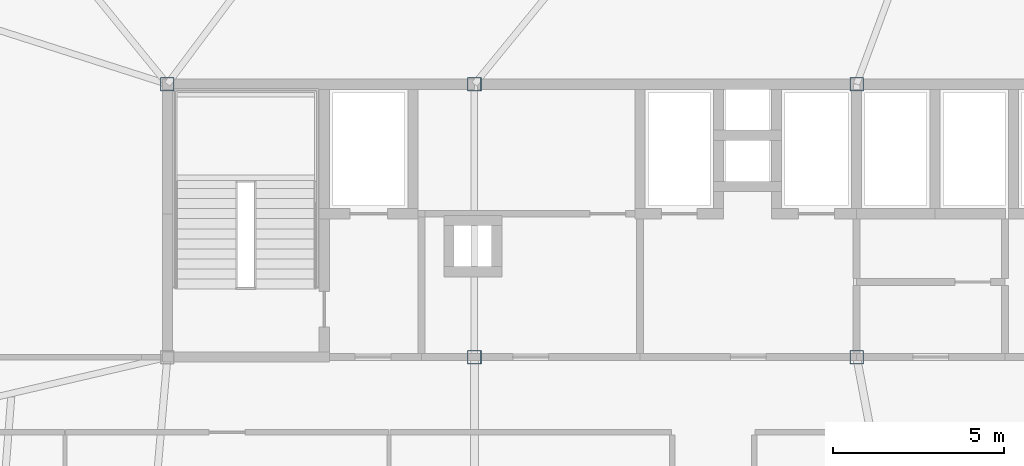
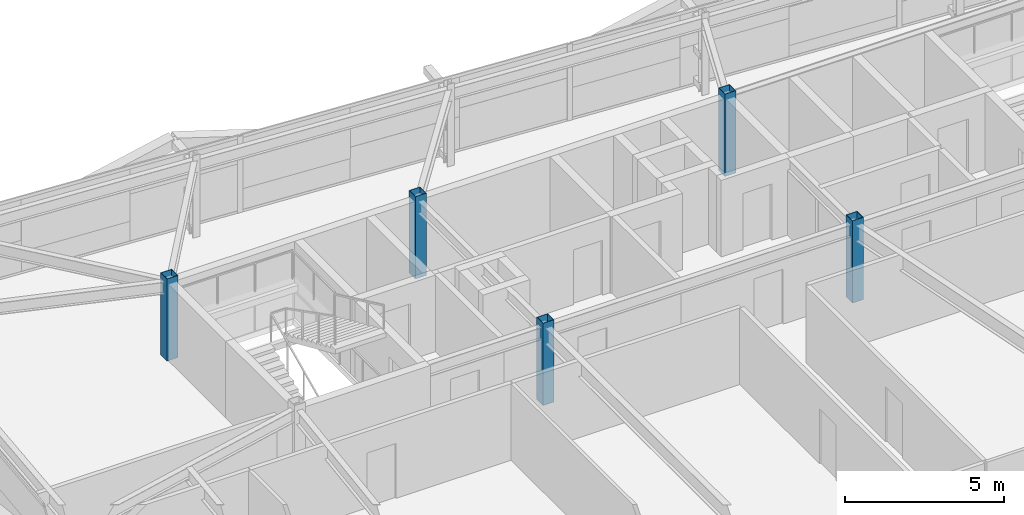
# One storey, part 2 of 39: 5 columns.
"""IFC4 building model written with IfcOpenShell, lengths in metres."""

from ifc_helpers import new_model, si_unit, direction, frame, origin, origin_2d, place, context, subcontext, project, spatial, hollow_rectangle, extrude, source, transform, mapped, material, material_profile, profile_set, type_object, element, save


model = new_model("IFC4")

# Units and contexts
model_context = context("Model", 3, precision=1e-05, world=origin(), true_north=direction((0.0, 1.0)))
body_context = subcontext(model_context, "Body", "Model", "MODEL_VIEW")
ifc_project = project(units=[si_unit("LENGTHUNIT", "METRE"), si_unit("AREAUNIT", "SQUARE_METRE"), si_unit("VOLUMEUNIT", "CUBIC_METRE"), si_unit("PLANEANGLEUNIT", "RADIAN"), si_unit("MASSUNIT", "GRAM", prefix="KILO")], contexts=[model_context])

# Site, building, storey
site_placement = place(None, origin())
site = spatial("IfcSite", under=ifc_project, at=site_placement, CompositionType="ELEMENT")
building_placement = place(site_placement, origin())
building = spatial("IfcBuilding", under=site, at=building_placement, Name="Taldren Reach Tower", CompositionType="ELEMENT")
storey_placement = place(building_placement, frame((0.0, 0.0, 126.699951171875)))
storey = spatial("IfcBuildingStorey", under=building, at=storey_placement, Name="L38", CompositionType="ELEMENT", Elevation=126.699951171875)

# Columns
ifc_material = material(Name="Steel Gr 450 (C450L0)", Category="steel")
ifc_material_profile = material_profile(ifc_material, hollow_rectangle(XDim=0.39990234375, YDim=0.39990234375, WallThickness=0.01611328125, at=origin_2d()), Name="400x400x16.0SHS")
ifc_profile_set = profile_set([ifc_material_profile], Name="Steel Gr 450 (C450L0)")
column_type = type_object("IfcColumnType", Name="COL-SHS400", PredefinedType="COLUMN", material=ifc_profile_set)
shared_shape = source(origin(), body_context, "Body", "SweptSolid", [
    extrude(hollow_rectangle(XDim=0.39990234375, YDim=0.39990234375, WallThickness=0.01611328125, at=origin_2d()), origin(), (0.0, 0.0, 1.0), 3.150146484375),
])
for number, where, z_axis, x_axis, name in (
    (1, (28.0, 24.0, 0.0), (0.0, 0.0, 1.0), (1.0, 0.0, 0.0), "Mega column MC-C2 L38"),
    (2, (39.199951171875, 24.0, 0.0), (0.0, 0.0, 1.0), (1.0, 0.0, 0.0), "Mega column MC-C3 L38"),
    (3, (19.0, 32.0, 0.0), (0.0, 0.0, 1.0), (1.0, 0.0, 0.0), "Mega column MC-C5 L38"),
    (4, (28.0, 32.0, 0.0), (0.0, 0.0, 1.0), (1.0, 0.0, 0.0), "Mega column MC-C6 L38"),
    (5, (39.199951171875, 32.0, 0.0), (0.0, 0.0, 1.0), (1.0, 0.0, 0.0), "Mega column MC-C7 L38"),
):
    element("IfcColumn", number, at=place(storey_placement, frame(where, z_axis=z_axis, x_axis=x_axis)), inside=storey, type_object=column_type, Name=name, PredefinedType="COLUMN", context=body_context, shape_type="MappedRepresentation", body=[
        mapped(shared_shape, transform((0.0, 0.0, 0.0), scale=1.0)),
    ])

save(model, "model.ifc")
